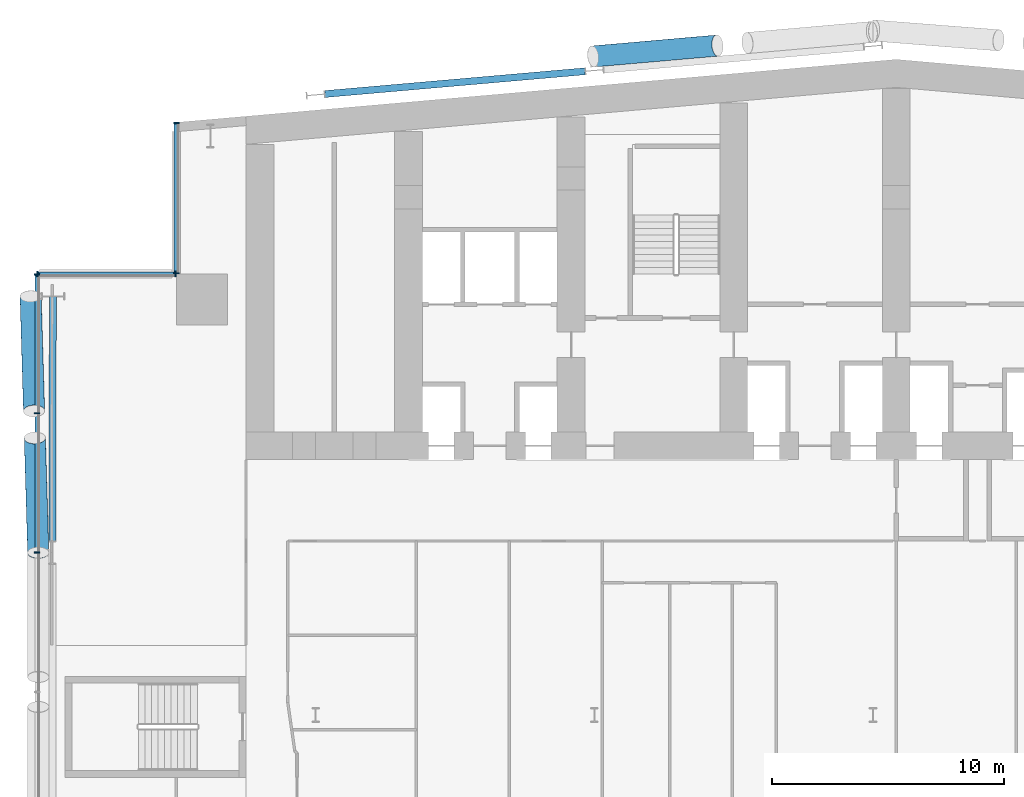
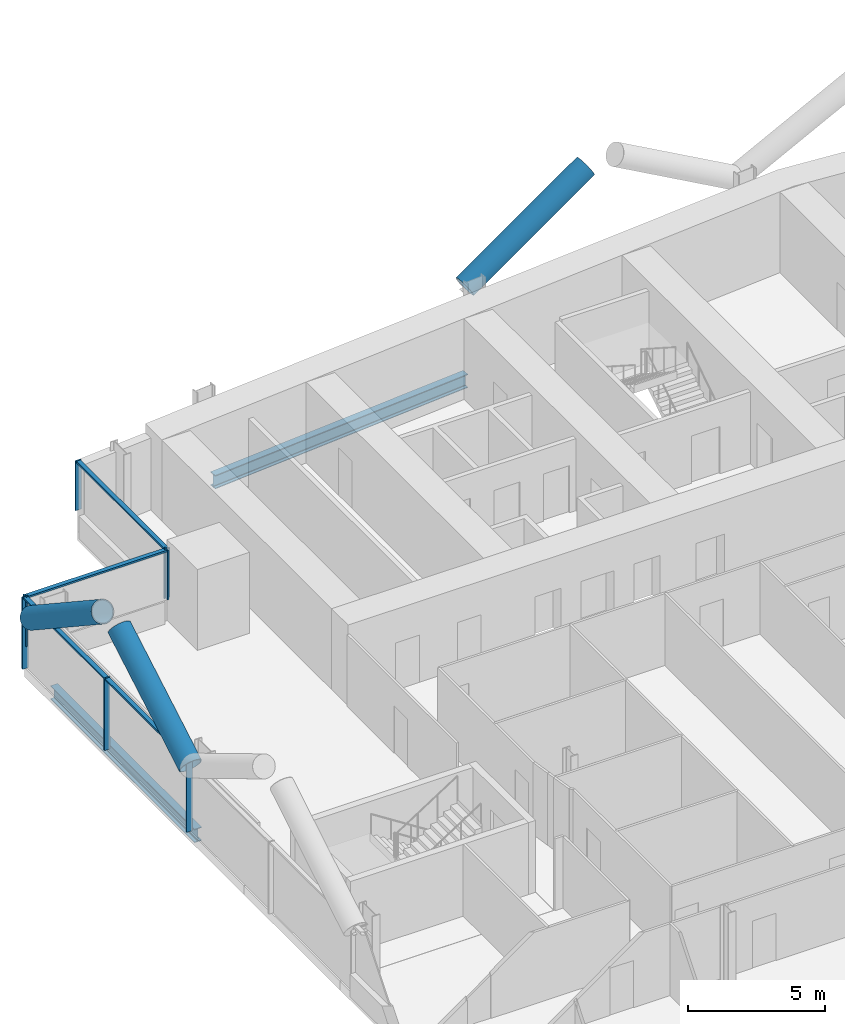
# One storey, part 7 of 27: 14 members, 2 beams, 3 elements without a shape of their own.
"""IFC4 building model written with IfcOpenShell, lengths in metres."""

from ifc_helpers import new_model, si_unit, direction, frame, origin, origin_2d, place, context, subcontext, project, spatial, rectangle, hollow_circle, i_section, extrude, material, material_profile, profile_set, type_object, element, aggregate, save


model = new_model("IFC4")

# Units and contexts
model_context = context("Model", 3, precision=1e-05, world=origin(), true_north=direction((0.0, 1.0)))
body_context = subcontext(model_context, "Body", "Model", "MODEL_VIEW")
ifc_project = project(units=[si_unit("LENGTHUNIT", "METRE"), si_unit("AREAUNIT", "SQUARE_METRE"), si_unit("VOLUMEUNIT", "CUBIC_METRE"), si_unit("PLANEANGLEUNIT", "RADIAN"), si_unit("MASSUNIT", "GRAM", prefix="KILO")], contexts=[model_context])

# Site, building, storey
site_placement = place(None, origin())
site = spatial("IfcSite", under=ifc_project, at=site_placement, CompositionType="ELEMENT")
building_placement = place(site_placement, origin())
building = spatial("IfcBuilding", under=site, at=building_placement, Name="Wharfspan Tower", CompositionType="ELEMENT")
storey_placement = place(building_placement, frame((0.0, 0.0, 45.100098)))
storey = spatial("IfcBuildingStorey", under=building, at=storey_placement, Name="L07", CompositionType="ELEMENT", Elevation=45.100098)

# Beams
ifc_material_1 = material(Name="Steel S355J2", Category="steel")
ifc_material_profile_1 = material_profile(ifc_material_1, i_section(OverallWidth=0.300049, OverallDepth=0.600098, WebThickness=0.015381, FlangeThickness=0.030029, FilletRadius=0.0271, at=origin_2d()))
ifc_profile_set_1 = profile_set([ifc_material_profile_1], Name="Steel S355J2")
beam_type = type_object("IfcBeamType", Name="Edge beam HEB 600", PredefinedType="SPANDREL", material=ifc_profile_set_1)
beam_1_placement = place(storey_placement, frame((23.598633, 50.724609, -0.700195), z_axis=(-0.996194, -0.087165, 0.0), x_axis=(0.087165, -0.996194, 0.0)))
element("IfcBeam", 1, at=beam_1_placement, inside=storey, type_object=beam_type, Name="Edge beam N1 L07 R.2 to R.1", PredefinedType="SPANDREL", context=body_context, shape_type="SweptSolid", body=[
    extrude(i_section(OverallWidth=0.300049, OverallDepth=0.600098, WebThickness=0.015381, FlangeThickness=0.030029, FilletRadius=0.0271, at=origin_2d()), origin(), (0.0, 0.0, 1.0), 11.23999),
])
beam_2_placement = place(storey_placement, frame((0.684814, 41.027832, -0.700195), z_axis=(-0.002249, -0.999997, 0.0), x_axis=(0.999997, -0.002249, 0.0)))
element("IfcBeam", 2, at=beam_2_placement, inside=storey, type_object=beam_type, Name="Edge beam W L07 PNRW-H.1 to PW.1", PredefinedType="SPANDREL", context=body_context, shape_type="SweptSolid", body=[
    extrude(i_section(OverallWidth=0.300049, OverallDepth=0.600098, WebThickness=0.015381, FlangeThickness=0.030029, FilletRadius=0.0271, at=origin_2d()), origin(), (0.0, 0.0, 1.0), 10.527832),
])

# Curtain wall, members
ifc_material_2 = material(Name="Aluminium 6063-T6", Category="aluminium")
curtain_wall_type = type_object("IfcCurtainWallType", Name="CURTAIN WALL PROW AND END", PredefinedType="NOTDEFINED", material=ifc_material_2)
curtain_wall_1_placement = place(storey_placement, origin())
curtain_wall_1 = element("IfcCurtainWall", 3, at=curtain_wall_1_placement, inside=storey, type_object=curtain_wall_type, Name="Curtain wall NRW-V", PredefinedType="NOTDEFINED")
ifc_material_profile_2 = material_profile(ifc_material_2, rectangle(XDim=0.23999, YDim=0.060059, at=origin_2d()))
ifc_profile_set_2 = profile_set([ifc_material_profile_2], Name="Aluminium 6063-T6")
member_type_1 = type_object("IfcMemberType", Name="MULLION PROW AND END 60x240", PredefinedType="MULLION", material=ifc_profile_set_2)
member_1_placement = place(storey_placement, frame((6.0, 48.494873, 1.0), z_axis=(0.0, 0.0, 1.0), x_axis=(1.0, 0.0, 0.0)))
member_1 = element("IfcMember", 4, at=member_1_placement, type_object=member_type_1, Name="Curtain wall NRW-V mullion 1", PredefinedType="MULLION", context=body_context, shape_type="SweptSolid", body=[
    extrude(rectangle(XDim=0.23999, YDim=0.060059, at=origin_2d()), origin(), (0.0, 0.0, 1.0), 2.199951),
])
member_2_placement = place(storey_placement, frame((6.0, 42.030029, 1.0), z_axis=(0.0, 0.0, 1.0), x_axis=(1.0, 0.0, 0.0)))
member_2 = element("IfcMember", 5, at=member_2_placement, type_object=member_type_1, Name="Curtain wall NRW-V mullion 2", PredefinedType="MULLION", context=body_context, shape_type="SweptSolid", body=[
    extrude(rectangle(XDim=0.23999, YDim=0.060059, at=origin_2d()), origin(), (0.0, 0.0, 1.0), 2.199951),
])

curtain_wall_2_placement = place(storey_placement, origin())
curtain_wall_2 = element("IfcCurtainWall", 6, at=curtain_wall_2_placement, inside=storey, type_object=curtain_wall_type, Name="Curtain wall NRW-H", PredefinedType="NOTDEFINED")
member_3_placement = place(storey_placement, frame((5.969971, 42.0, 1.0), z_axis=(0.0, 0.0, 1.0), x_axis=(0.0, -1.0, 0.0)))
member_3 = element("IfcMember", 7, at=member_3_placement, type_object=member_type_1, Name="Curtain wall NRW-H mullion 1", PredefinedType="MULLION", context=body_context, shape_type="SweptSolid", body=[
    extrude(rectangle(XDim=0.23999, YDim=0.060059, at=origin_2d()), origin(), (0.0, 0.0, 1.0), 2.199951),
])
member_4_placement = place(storey_placement, frame((0.030029, 42.0, 1.0), z_axis=(0.0, 0.0, 1.0), x_axis=(0.0, -1.0, 0.0)))
member_4 = element("IfcMember", 8, at=member_4_placement, type_object=member_type_1, Name="Curtain wall NRW-H mullion 2", PredefinedType="MULLION", context=body_context, shape_type="SweptSolid", body=[
    extrude(rectangle(XDim=0.23999, YDim=0.060059, at=origin_2d()), origin(), (0.0, 0.0, 1.0), 2.199951),
])

curtain_wall_3_placement = place(storey_placement, origin())
curtain_wall_3 = element("IfcCurtainWall", 9, at=curtain_wall_3_placement, inside=storey, type_object=curtain_wall_type, Name="Curtain wall W", PredefinedType="NOTDEFINED")
member_5_placement = place(storey_placement, frame((0.0, 41.969971, 0.0), z_axis=(0.0, 0.0, 1.0), x_axis=(1.0, 0.0, 0.0)))
member_5 = element("IfcMember", 10, at=member_5_placement, type_object=member_type_1, Name="Curtain wall W mullion 1", PredefinedType="MULLION", context=body_context, shape_type="SweptSolid", body=[
    extrude(rectangle(XDim=0.23999, YDim=0.060059, at=origin_2d()), origin(), (0.0, 0.0, 1.0), 3.199951),
])
member_6_placement = place(storey_placement, frame((0.0, 36.0, 0.0), z_axis=(0.0, 0.0, 1.0), x_axis=(1.0, 0.0, 0.0)))
member_6 = element("IfcMember", 11, at=member_6_placement, type_object=member_type_1, Name="Curtain wall W mullion 2", PredefinedType="MULLION", context=body_context, shape_type="SweptSolid", body=[
    extrude(rectangle(XDim=0.23999, YDim=0.060059, at=origin_2d()), origin(), (0.0, 0.0, 1.0), 3.199951),
])
member_7_placement = place(storey_placement, frame((0.0, 30.0, 0.0), z_axis=(0.0, 0.0, 1.0), x_axis=(1.0, 0.0, 0.0)))
member_7 = element("IfcMember", 12, at=member_7_placement, type_object=member_type_1, Name="Curtain wall W mullion 3", PredefinedType="MULLION", context=body_context, shape_type="SweptSolid", body=[
    extrude(rectangle(XDim=0.23999, YDim=0.060059, at=origin_2d()), origin(), (0.0, 0.0, 1.0), 3.199951),
])

# Members
ifc_material_3 = material(Name="Steel S460NH", Category="steel")
ifc_material_profile_3 = material_profile(ifc_material_3, hollow_circle(Radius=0.457031, WallThickness=0.040039, at=origin_2d()))
ifc_profile_set_3 = profile_set([ifc_material_profile_3], Name="Steel S460NH")
member_type_2 = type_object("IfcMemberType", Name="Mega brace CHS 914x40", PredefinedType="BRACE", material=ifc_profile_set_3)
for number, where, z_axis, x_axis, name in (
    (13, (-0.273193, 41.03418, 2.899902), (0.0249, -0.837221, 0.546298), (0.999556, 0.02973, 3e-06), "Mega brace W4 L08 part 1"),
    (14, (0.054932, 30.0, 2.899902), (-0.0249, 0.837221, 0.546298), (-0.999556, -0.02973, 3e-06), "Mega brace W4 L08 part 3"),
):
    element("IfcMember", number, at=place(storey_placement, frame(where, z_axis=z_axis, x_axis=x_axis)), inside=storey, type_object=member_type_2, Name=name, PredefinedType="BRACE", context=body_context, shape_type="SweptSolid", body=[
        extrude(hollow_circle(Radius=0.457031, WallThickness=0.040039, at=origin_2d()), origin(), (0.0, 0.0, 1.0), 5.892822),
    ])
member_8_placement = place(storey_placement, frame((23.947266, 51.363037, 2.899902), z_axis=(0.855094, 0.074809, 0.513048), x_axis=(-0.087154, 0.996195, 1e-06)))
element("IfcMember", 15, at=member_8_placement, inside=storey, type_object=member_type_2, Name="Mega brace N7 L08 part 1", PredefinedType="BRACE", context=body_context, shape_type="SweptSolid", body=[
    extrude(hollow_circle(Radius=0.457031, WallThickness=0.040039, at=origin_2d()), origin(), (0.0, 0.0, 1.0), 6.256104),
])

# Member
ifc_material_profile_4 = material_profile(ifc_material_2, rectangle(XDim=0.179932, YDim=0.080078, at=origin_2d()))
ifc_profile_set_4 = profile_set([ifc_material_profile_4], Name="Aluminium 6063-T6")
member_type_3 = type_object("IfcMemberType", Name="TRANSOM PROW AND END 80x180", PredefinedType="USERDEFINED", material=ifc_profile_set_4)
member_9_placement = place(storey_placement, frame((6.0, 48.464844, 3.159912), z_axis=(0.0, -1.0, 0.0), x_axis=(1.0, 0.0, 0.0)))
member_9 = element("IfcMember", 16, at=member_9_placement, type_object=member_type_3, Name="Curtain wall NRW-V transom 1", ObjectType="TRANSOM", PredefinedType="USERDEFINED", context=body_context, shape_type="SweptSolid", body=[
    extrude(rectangle(XDim=0.179932, YDim=0.080078, at=origin_2d()), origin(), (0.0, 0.0, 1.0), 6.404785),
])

aggregate(curtain_wall_1, [member_1, member_2, member_9])

member_10_placement = place(storey_placement, frame((5.939941, 42.0, 3.159912), z_axis=(-1.0, 0.0, 0.0), x_axis=(0.0, -1.0, 0.0)))
member_10 = element("IfcMember", 17, at=member_10_placement, type_object=member_type_3, Name="Curtain wall NRW-H transom 1", ObjectType="TRANSOM", PredefinedType="USERDEFINED", context=body_context, shape_type="SweptSolid", body=[
    extrude(rectangle(XDim=0.179932, YDim=0.080078, at=origin_2d()), origin(), (0.0, 0.0, 1.0), 5.879883),
])

aggregate(curtain_wall_2, [member_3, member_4, member_10])

member_11_placement = place(storey_placement, frame((0.0, 41.939941, 3.159912), z_axis=(0.0, -1.0, 0.0), x_axis=(1.0, 0.0, 0.0)))
member_11 = element("IfcMember", 18, at=member_11_placement, type_object=member_type_3, Name="Curtain wall W transom 1", ObjectType="TRANSOM", PredefinedType="USERDEFINED", context=body_context, shape_type="SweptSolid", body=[
    extrude(rectangle(XDim=0.179932, YDim=0.080078, at=origin_2d()), origin(), (0.0, 0.0, 1.0), 5.909912),
])

member_12_placement = place(storey_placement, frame((0.0, 35.969971, 3.159912), z_axis=(0.0, -1.0, 0.0), x_axis=(1.0, 0.0, 0.0)))
member_12 = element("IfcMember", 19, at=member_12_placement, type_object=member_type_3, Name="Curtain wall W transom 2", ObjectType="TRANSOM", PredefinedType="USERDEFINED", context=body_context, shape_type="SweptSolid", body=[
    extrude(rectangle(XDim=0.179932, YDim=0.080078, at=origin_2d()), origin(), (0.0, 0.0, 1.0), 5.939941),
])

aggregate(curtain_wall_3, [member_5, member_6, member_7, member_11, member_12])

save(model, "model.ifc")
